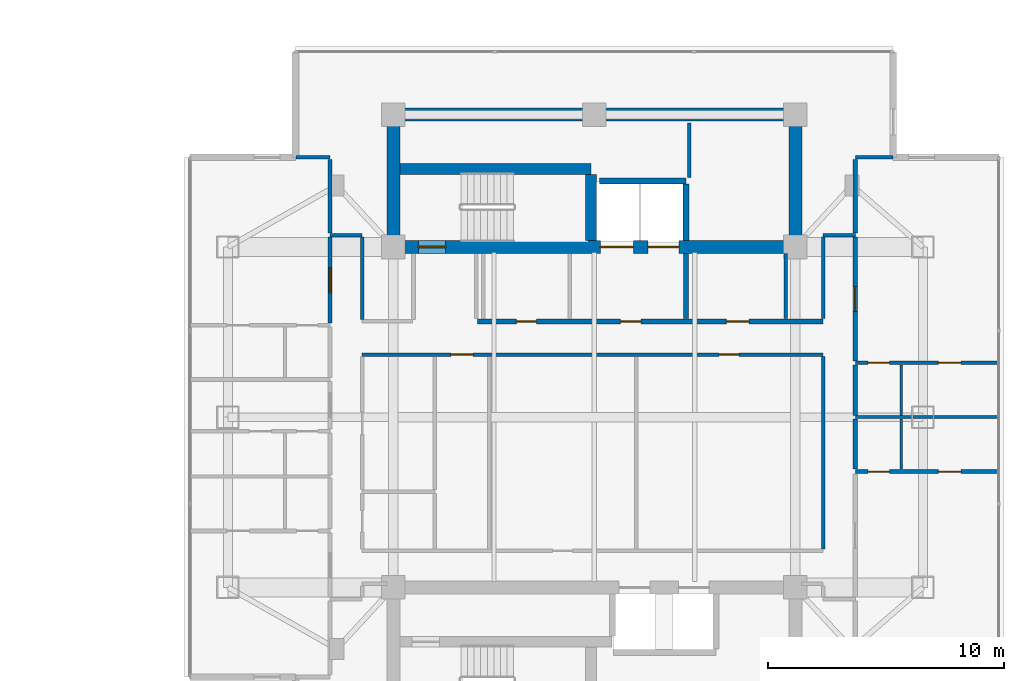
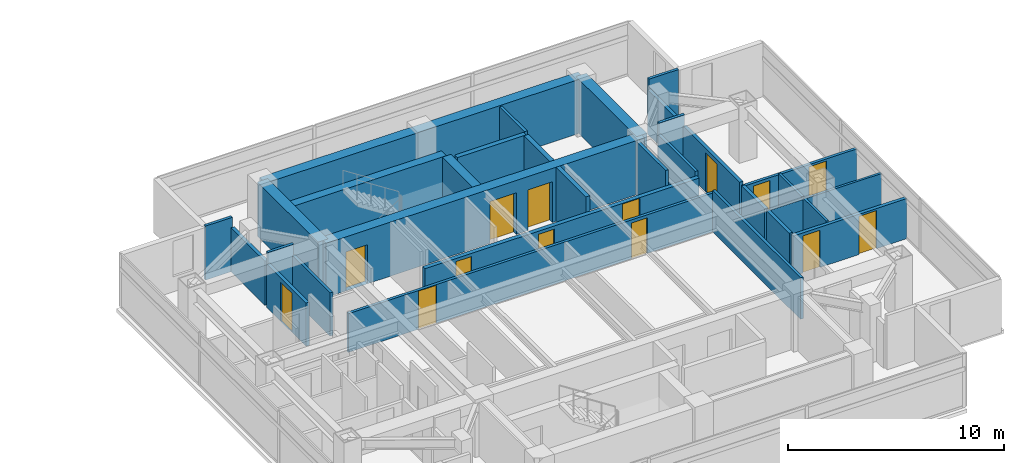
# One storey, part 17 of 24: 31 walls, 14 doors, 14 openings.
"""IFC4 building model written with IfcOpenShell, lengths in metres."""

from ifc_helpers import new_model, si_unit, direction, frame, frame_2d, origin, place, context, subcontext, project, spatial, rectangle, extrude, material, layer, layer_set, type_object, element, fill, save


model = new_model("IFC4")

# Units and contexts
model_context = context("Model", 3, precision=1e-05, world=origin(), true_north=direction((0.0, 1.0)))
body_context = subcontext(model_context, "Body", "Model", "MODEL_VIEW")
ifc_project = project(units=[si_unit("LENGTHUNIT", "METRE"), si_unit("AREAUNIT", "SQUARE_METRE"), si_unit("VOLUMEUNIT", "CUBIC_METRE"), si_unit("PLANEANGLEUNIT", "RADIAN"), si_unit("MASSUNIT", "GRAM", prefix="KILO")], contexts=[model_context])

# Site, building, storey
site_placement = place(None, origin())
site = spatial("IfcSite", under=ifc_project, at=site_placement, CompositionType="ELEMENT")
building_placement = place(site_placement, origin())
building = spatial("IfcBuilding", under=site, at=building_placement, Name="Mirazonda Arch Towers", CompositionType="ELEMENT")
storey_placement = place(building_placement, frame((0.0, 0.0, 160.89990234375)))
storey = spatial("IfcBuildingStorey", under=building, at=storey_placement, Name="L45", CompositionType="ELEMENT", Elevation=160.89990234375)

# Walls
ifc_material_1 = material(Name="Concrete C50/60", Category="concrete")
ifc_layer_1 = layer(ifc_material_1, 0.449951171875, Name="WALL-CORE-450")
ifc_layer_set_1 = layer_set([ifc_layer_1], Name="Concrete C50/60")
wall_type_1 = type_object("IfcWallType", Name="WALL-CORE-450", PredefinedType="SHEAR", material=ifc_layer_set_1)
wall_1_placement = place(storey_placement, frame((68.27001953125, 38.5, 0.0), z_axis=(0.0, 0.0, 1.0), x_axis=(1.0, 0.0, 0.0)))
element("IfcWall", 1, at=wall_1_placement, inside=storey, type_object=wall_type_1, Name="L45 Stair Core Shear Wall 056", PredefinedType="SHEAR", context=body_context, shape_type="SweptSolid", body=[
    extrude(rectangle(XDim=8.090087890625, YDim=0.449951171875, at=frame_2d((4.044921875, 0.0))), origin(), (0.0, 0.0, 1.0), 3.050048828125),
])
wall_2_placement = place(storey_placement, frame((76.360107421875, 35.469970703125, 0.0), z_axis=(0.0, 0.0, 1.0), x_axis=(0.0, 1.0, 0.0)))
element("IfcWall", 2, at=wall_2_placement, inside=storey, type_object=wall_type_1, Name="L45 Stair Core Shear Wall 148", PredefinedType="SHEAR", context=body_context, shape_type="SweptSolid", body=[
    extrude(rectangle(XDim=2.794921875, YDim=0.449951171875, at=frame_2d((1.3974609375, 0.0))), origin(), (0.0, 0.0, 1.0), 3.050048828125),
])
ifc_layer_2 = layer(ifc_material_1, 0.550048828125, Name="WALL-CORE-550")
ifc_layer_set_2 = layer_set([ifc_layer_2], Name="Concrete C50/60")
wall_type_2 = type_object("IfcWallType", Name="WALL-CORE-550", PredefinedType="SHEAR", material=ifc_layer_set_2)
wall_3_placement = place(storey_placement, frame((68.0, 40.800048828125, 0.0), z_axis=(0.0, 0.0, 1.0), x_axis=(1.0, 0.0, 0.0)))
element("IfcWall", 3, at=wall_3_placement, inside=storey, type_object=wall_type_2, Name="L45 T2N-N Core Shear Wall", PredefinedType="SHEAR", context=body_context, shape_type="SweptSolid", body=[
    extrude(rectangle(XDim=17.0, YDim=0.550048828125, at=frame_2d((8.5, 0.0))), origin(), (0.0, 0.0, 1.0), 3.050048828125),
])
for number, where, z_axis, x_axis, name in (
    (4, (68.0, 35.199951171875, 0.0), (0.0, 0.0, 1.0), (0.0, 1.0, 0.0), "L45 T2N-W Core Shear Wall"),
    (5, (85.0, 35.199951171875, 0.0), (0.0, 0.0, 1.0), (0.0, 1.0, 0.0), "L45 T2N-E Core Shear Wall"),
):
    element("IfcWall", number, at=place(storey_placement, frame(where, z_axis=z_axis, x_axis=x_axis)), inside=storey, type_object=wall_type_2, Name=name, PredefinedType="SHEAR", context=body_context, shape_type="SweptSolid", body=[
        extrude(rectangle(XDim=5.60009765625, YDim=0.550048828125, at=frame_2d((2.800048828125, 0.0))), origin(), (0.0, 0.0, 1.0), 3.050048828125),
    ])

# Wall, openings, doors
wall_4_placement = place(storey_placement, frame((68.0, 35.199951171875, 0.0), z_axis=(0.0, 0.0, 1.0), x_axis=(1.0, 0.0, 0.0)))
wall_4 = element("IfcWall", 6, at=wall_4_placement, inside=storey, type_object=wall_type_2, Name="L45 T2N-S Core Shear Wall", PredefinedType="SHEAR", context=body_context, shape_type="SweptSolid", body=[
    extrude(rectangle(XDim=17.0, YDim=0.550048828125, at=frame_2d((8.5, 0.0))), origin(), (0.0, 0.0, 1.0), 3.050048828125),
])
opening_1_placement = place(wall_4_placement, frame((1.06005859375, 0.0, 0.0)))
opening_1 = element("IfcOpeningElement", 7, at=opening_1_placement, cuts=wall_4, Name="Opening DR-135", PredefinedType="OPENING", context=body_context, shape_type="SweptSolid", body=[
    extrude(rectangle(XDim=1.14990234375, YDim=2.199951171875, at=frame_2d((0.574951171875, 1.10009765625))), frame((0.0, 0.284912109375, 0.0), z_axis=(0.0, -1.0, 0.0), x_axis=(1.0, 0.0, 0.0)), (0.0, 0.0, 1.0), 0.570068359375),
])
opening_2_placement = place(wall_4_placement, frame((8.75, 0.0, 0.0)))
opening_2 = element("IfcOpeningElement", 8, at=opening_2_placement, cuts=wall_4, Name="Opening LD-112", PredefinedType="OPENING", context=body_context, shape_type="SweptSolid", body=[
    extrude(rectangle(XDim=1.39990234375, YDim=2.35009765625, at=frame_2d((0.699951171875, 1.175048828125))), frame((0.0, 0.284912109375, 0.0), z_axis=(0.0, -1.0, 0.0), x_axis=(1.0, 0.0, 0.0)), (0.0, 0.0, 1.0), 0.570068359375),
])
opening_3_placement = place(wall_4_placement, frame((10.77001953125, 0.0, 0.0)))
opening_3 = element("IfcOpeningElement", 9, at=opening_3_placement, cuts=wall_4, Name="Opening LD-111", PredefinedType="OPENING", context=body_context, shape_type="SweptSolid", body=[
    extrude(rectangle(XDim=1.300048828125, YDim=2.300048828125, at=frame_2d((0.64990234375, 1.14990234375))), frame((0.0, 0.284912109375, 0.0), z_axis=(0.0, -1.0, 0.0), x_axis=(1.0, 0.0, 0.0)), (0.0, 0.0, 1.0), 0.570068359375),
])
ifc_material_2 = material(Name="Architectural Brushed Steel S355", Category="steel")
door_type_1 = type_object("IfcDoorType", Name="DOOR-LIFT-FFL-1400", OperationType="NOTDEFINED", PredefinedType="DOOR", material=ifc_material_2)
door_1_placement = place(opening_2_placement, origin())
door_1 = element("IfcDoor", 10, at=door_1_placement, inside=storey, type_object=door_type_1, Name="L45 Lift Landing Sliding Door FFL-T2", OperationType="DOUBLE_DOOR_SLIDING", OverallHeight=2.35009765625, OverallWidth=1.39990234375, PredefinedType="DOOR", context=body_context, shape_type="SweptSolid", body=[
    extrude(rectangle(XDim=1.39990234375, YDim=2.35009765625, at=frame_2d((0.699951171875, 1.175048828125))), frame((0.0, 0.02490234375, 0.0), z_axis=(0.0, -1.0, 0.0), x_axis=(1.0, 0.0, 0.0)), (0.0, 0.0, 1.0), 0.050048828125),
])
fill(opening_2, door_1)
door_type_2 = type_object("IfcDoorType", Name="DOOR-LIFT-LAND-1300", OperationType="NOTDEFINED", PredefinedType="DOOR", material=ifc_material_2)
door_2_placement = place(opening_3_placement, origin())
door_2 = element("IfcDoor", 11, at=door_2_placement, inside=storey, type_object=door_type_2, Name="L45 Lift Landing Sliding Door SVL-T2", OperationType="DOUBLE_DOOR_SLIDING", OverallHeight=2.300048828125, OverallWidth=1.300048828125, PredefinedType="DOOR", context=body_context, shape_type="SweptSolid", body=[
    extrude(rectangle(XDim=1.300048828125, YDim=2.300048828125, at=frame_2d((0.64990234375, 1.14990234375))), frame((0.0, 0.02490234375, 0.0), z_axis=(0.0, -1.0, 0.0), x_axis=(1.0, 0.0, 0.0)), (0.0, 0.0, 1.0), 0.050048828125),
])
fill(opening_3, door_2)
door_type_3 = type_object("IfcDoorType", Name="DOOR-STAIR-FD90-1150", OperationType="NOTDEFINED", PredefinedType="DOOR", material=ifc_material_2)
door_3_placement = place(opening_1_placement, origin())
door_3 = element("IfcDoor", 12, at=door_3_placement, inside=storey, type_object=door_type_3, Name="L45 East Protected Stair North Door", OperationType="SINGLE_SWING_LEFT", OverallHeight=2.199951171875, OverallWidth=1.14990234375, PredefinedType="DOOR", context=body_context, shape_type="SweptSolid", body=[
    extrude(rectangle(XDim=1.14990234375, YDim=2.199951171875, at=frame_2d((0.574951171875, 1.10009765625))), frame((0.0, 0.02490234375, 0.0), z_axis=(0.0, -1.0, 0.0), x_axis=(1.0, 0.0, 0.0)), (0.0, 0.0, 1.0), 0.050048828125),
])
fill(opening_1, door_3)

ifc_material_3 = material(Name="Concrete C40/50", Category="concrete")
ifc_layer_3 = layer(ifc_material_3, 0.219970703125, Name="WALL-FFL-220")
ifc_layer_set_3 = layer_set([ifc_layer_3], Name="Concrete C40/50")
wall_type_3 = type_object("IfcWallType", Name="WALL-FFL-220", PredefinedType="SOLIDWALL", material=ifc_layer_set_3)
wall_5_placement = place(storey_placement, frame((71.550048828125, 32.050048828125, 0.0), z_axis=(0.0, 0.0, 1.0), x_axis=(1.0, 0.0, 0.0)))
wall_5 = element("IfcWall", 13, at=wall_5_placement, inside=storey, type_object=wall_type_3, Name="L45 Interior Partition 046", PredefinedType="SOLIDWALL", context=body_context, shape_type="SweptSolid", body=[
    extrude(rectangle(XDim=14.6298828125, YDim=0.219970703125, at=frame_2d((7.31494140625, 0.0))), origin(), (0.0, 0.0, 1.0), 2.18603515625),
])
opening_4_placement = place(wall_5_placement, frame((6.06494140625, 0.0, 0.0)))
opening_4 = element("IfcOpeningElement", 14, at=opening_4_placement, cuts=wall_5, Name="Opening DR-128", PredefinedType="OPENING", context=body_context, shape_type="SweptSolid", body=[
    extrude(rectangle(XDim=0.85009765625, YDim=2.010009765625, at=frame_2d((0.425048828125, 1.0048828125))), frame((0.0, 0.119873046875, 0.0), z_axis=(0.0, -1.0, 0.0), x_axis=(1.0, 0.0, 0.0)), (0.0, 0.0, 1.0), 0.239990234375),
])
opening_5_placement = place(wall_5_placement, frame((10.534912109375, 0.0, 0.0)))
opening_5 = element("IfcOpeningElement", 15, at=opening_5_placement, cuts=wall_5, Name="Opening DR-104", PredefinedType="OPENING", context=body_context, shape_type="SweptSolid", body=[
    extrude(rectangle(XDim=0.949951171875, YDim=2.14990234375, at=frame_2d((0.47509765625, 1.074951171875))), frame((0.0, 0.119873046875, 0.0), z_axis=(0.0, -1.0, 0.0), x_axis=(1.0, 0.0, 0.0)), (0.0, 0.0, 1.0), 0.239990234375),
])
opening_6_placement = place(wall_5_placement, frame((1.64990234375, 0.0, 0.0)))
opening_6 = element("IfcOpeningElement", 16, at=opening_6_placement, cuts=wall_5, Name="Opening DR-128", PredefinedType="OPENING", context=body_context, shape_type="SweptSolid", body=[
    extrude(rectangle(XDim=0.85009765625, YDim=2.010009765625, at=frame_2d((0.425048828125, 1.0048828125))), frame((0.0, 0.119873046875, 0.0), z_axis=(0.0, -1.0, 0.0), x_axis=(1.0, 0.0, 0.0)), (0.0, 0.0, 1.0), 0.239990234375),
])
door_type_4 = type_object("IfcDoorType", Name="DOOR-RISER-FD60-850", OperationType="NOTDEFINED", PredefinedType="DOOR", material=ifc_material_2)
door_4_placement = place(opening_4_placement, origin())
door_4 = element("IfcDoor", 17, at=door_4_placement, inside=storey, type_object=door_type_4, Name="L45 East Firefighting Lift Lobby Door", OperationType="SINGLE_SWING_RIGHT", OverallHeight=2.010009765625, OverallWidth=0.85009765625, PredefinedType="DOOR", context=body_context, shape_type="SweptSolid", body=[
    extrude(rectangle(XDim=0.85009765625, YDim=2.010009765625, at=frame_2d((0.425048828125, 1.0048828125))), frame((0.0, 0.02490234375, 0.0), z_axis=(0.0, -1.0, 0.0), x_axis=(1.0, 0.0, 0.0)), (0.0, 0.0, 1.0), 0.050048828125),
])
fill(opening_4, door_4)
door_5_placement = place(opening_6_placement, origin())
door_5 = element("IfcDoor", 18, at=door_5_placement, inside=storey, type_object=door_type_4, Name="L45 Tower 2 Housekeeping & Linen Room Door", OperationType="SINGLE_SWING_RIGHT", OverallHeight=2.010009765625, OverallWidth=0.85009765625, PredefinedType="DOOR", context=body_context, shape_type="SweptSolid", body=[
    extrude(rectangle(XDim=0.85009765625, YDim=2.010009765625, at=frame_2d((0.425048828125, 1.0048828125))), frame((0.0, 0.02490234375, 0.0), z_axis=(0.0, -1.0, 0.0), x_axis=(1.0, 0.0, 0.0)), (0.0, 0.0, 1.0), 0.050048828125),
])
fill(opening_6, door_5)
door_type_5 = type_object("IfcDoorType", Name="DOOR-ROOM-950", OperationType="NOTDEFINED", PredefinedType="DOOR", material=ifc_material_2)
door_6_placement = place(opening_5_placement, origin())
door_6 = element("IfcDoor", 19, at=door_6_placement, inside=storey, type_object=door_type_5, Name="L45 East Sky Reading Library Door", OperationType="SINGLE_SWING_LEFT", OverallHeight=2.14990234375, OverallWidth=0.949951171875, PredefinedType="DOOR", context=body_context, shape_type="SweptSolid", body=[
    extrude(rectangle(XDim=0.949951171875, YDim=2.14990234375, at=frame_2d((0.47509765625, 1.074951171875))), frame((0.0, 0.02490234375, 0.0), z_axis=(0.0, -1.0, 0.0), x_axis=(1.0, 0.0, 0.0)), (0.0, 0.0, 1.0), 0.050048828125),
])
fill(opening_5, door_6)

# Wall
wall_6_placement = place(storey_placement, frame((80.3798828125, 32.169921875, 0.0), z_axis=(0.0, 0.0, 1.0), x_axis=(0.0, 1.0, 0.0)))
element("IfcWall", 20, at=wall_6_placement, inside=storey, type_object=wall_type_3, Name="L45 Interior Partition 151", PredefinedType="SOLIDWALL", context=body_context, shape_type="SweptSolid", body=[
    extrude(rectangle(XDim=2.760009765625, YDim=0.219970703125, at=frame_2d((1.3798828125, 0.0))), origin(), (0.0, 0.0, 1.0), 3.050048828125),
])

# Wall, openings, doors
ifc_material_4 = material(Name="Fire-Rated Gypsum Stud Partition")
ifc_layer_4 = layer(ifc_material_4, 0.14990234375, Name="WALL-PART-CORR-150")
ifc_layer_set_4 = layer_set([ifc_layer_4], Name="Fire-Rated Gypsum Stud Partition")
wall_type_4 = type_object("IfcWallType", Name="WALL-PART-CORR-150", PredefinedType="PARTITIONING", material=ifc_layer_set_4)
wall_7_placement = place(storey_placement, frame((87.5400390625, 30.300048828125, 0.0), z_axis=(0.0, 0.0, 1.0), x_axis=(1.0, 0.0, 0.0)))
wall_7 = element("IfcWall", 21, at=wall_7_placement, inside=storey, type_object=wall_type_4, Name="L45 Interior Partition 040", PredefinedType="PARTITIONING", context=body_context, shape_type="SweptSolid", body=[
    extrude(rectangle(XDim=6.06884765625, YDim=0.14990234375, at=frame_2d((3.034423828125, 0.0))), origin(), (0.0, 0.0, 1.0), 2.26904296875),
])
opening_7_placement = place(wall_7_placement, frame((3.510498046875, 0.0, 0.0)))
opening_7 = element("IfcOpeningElement", 22, at=opening_7_placement, cuts=wall_7, Name="Opening DR-104", PredefinedType="OPENING", context=body_context, shape_type="SweptSolid", body=[
    extrude(rectangle(XDim=0.949951171875, YDim=2.14990234375, at=frame_2d((0.47509765625, 1.074951171875))), frame((0.0, 0.0849609375, 0.0), z_axis=(0.0, -1.0, 0.0), x_axis=(1.0, 0.0, 0.0)), (0.0, 0.0, 1.0), 0.169921875),
])
opening_8_placement = place(wall_7_placement, frame((0.541015625, 0.0, 0.0)))
opening_8 = element("IfcOpeningElement", 23, at=opening_8_placement, cuts=wall_7, Name="Opening DR-120", PredefinedType="OPENING", context=body_context, shape_type="SweptSolid", body=[
    extrude(rectangle(XDim=0.89990234375, YDim=2.10009765625, at=frame_2d((0.449951171875, 1.050048828125))), frame((0.0, 0.0849609375, 0.0), z_axis=(0.0, -1.0, 0.0), x_axis=(1.0, 0.0, 0.0)), (0.0, 0.0, 1.0), 0.169921875),
])
door_7_placement = place(opening_7_placement, origin())
door_7 = element("IfcDoor", 24, at=door_7_placement, inside=storey, type_object=door_type_5, Name="L45 Studio 2 Galley Kitchen Door", OperationType="SINGLE_SWING_RIGHT", OverallHeight=2.14990234375, OverallWidth=0.949951171875, PredefinedType="DOOR", context=body_context, shape_type="SweptSolid", body=[
    extrude(rectangle(XDim=0.949951171875, YDim=2.14990234375, at=frame_2d((0.47509765625, 1.074951171875))), frame((0.0, 0.02490234375, 0.0), z_axis=(0.0, -1.0, 0.0), x_axis=(1.0, 0.0, 0.0)), (0.0, 0.0, 1.0), 0.050048828125),
])
fill(opening_7, door_7)
door_type_6 = type_object("IfcDoorType", Name="DOOR-WC-900", OperationType="NOTDEFINED", PredefinedType="DOOR", material=ifc_material_2)
door_8_placement = place(opening_8_placement, origin())
door_8 = element("IfcDoor", 25, at=door_8_placement, inside=storey, type_object=door_type_6, Name="L45 Studio 2 Bathroom Door", OperationType="SINGLE_SWING_LEFT", OverallHeight=2.10009765625, OverallWidth=0.89990234375, PredefinedType="DOOR", context=body_context, shape_type="SweptSolid", body=[
    extrude(rectangle(XDim=0.89990234375, YDim=2.10009765625, at=frame_2d((0.449951171875, 1.050048828125))), frame((0.0, 0.02490234375, 0.0), z_axis=(0.0, -1.0, 0.0), x_axis=(1.0, 0.0, 0.0)), (0.0, 0.0, 1.0), 0.050048828125),
])
fill(opening_8, door_8)

wall_8_placement = place(storey_placement, frame((66.679931640625, 30.64990234375, 0.0), z_axis=(0.0, 0.0, 1.0), x_axis=(1.0, 0.0, 0.0)))
wall_8 = element("IfcWall", 26, at=wall_8_placement, inside=storey, type_object=wall_type_4, Name="L45 Interior Partition 041", PredefinedType="PARTITIONING", context=body_context, shape_type="SweptSolid", body=[
    extrude(rectangle(XDim=19.5, YDim=0.14990234375, at=frame_2d((9.75, 0.0))), origin(), (0.0, 0.0, 1.0), 2.18603515625),
])
opening_9_placement = place(wall_8_placement, frame((3.7451171875, 0.0, 0.0)))
opening_9 = element("IfcOpeningElement", 27, at=opening_9_placement, cuts=wall_8, Name="Opening DR-104", PredefinedType="OPENING", context=body_context, shape_type="SweptSolid", body=[
    extrude(rectangle(XDim=0.949951171875, YDim=2.14990234375, at=frame_2d((0.47509765625, 1.074951171875))), frame((0.0, 0.0849609375, 0.0), z_axis=(0.0, -1.0, 0.0), x_axis=(1.0, 0.0, 0.0)), (0.0, 0.0, 1.0), 0.169921875),
])
opening_10_placement = place(wall_8_placement, frame((15.098388671875, 0.0, 0.0)))
opening_10 = element("IfcOpeningElement", 28, at=opening_10_placement, cuts=wall_8, Name="Opening DR-128", PredefinedType="OPENING", context=body_context, shape_type="SweptSolid", body=[
    extrude(rectangle(XDim=0.85009765625, YDim=2.010009765625, at=frame_2d((0.425048828125, 1.0048828125))), frame((0.0, 0.0849609375, 0.0), z_axis=(0.0, -1.0, 0.0), x_axis=(1.0, 0.0, 0.0)), (0.0, 0.0, 1.0), 0.169921875),
])
door_9_placement = place(opening_10_placement, origin())
door_9 = element("IfcDoor", 29, at=door_9_placement, inside=storey, type_object=door_type_4, Name="L45 Chamber Music & Screening Salon Door", OperationType="SINGLE_SWING_LEFT", OverallHeight=2.010009765625, OverallWidth=0.85009765625, PredefinedType="DOOR", context=body_context, shape_type="SweptSolid", body=[
    extrude(rectangle(XDim=0.85009765625, YDim=2.010009765625, at=frame_2d((0.425048828125, 1.0048828125))), frame((0.0, 0.02490234375, 0.0), z_axis=(0.0, -1.0, 0.0), x_axis=(1.0, 0.0, 0.0)), (0.0, 0.0, 1.0), 0.050048828125),
])
fill(opening_10, door_9)
door_10_placement = place(opening_9_placement, origin())
door_10 = element("IfcDoor", 30, at=door_10_placement, inside=storey, type_object=door_type_5, Name="L45 L45 East Courtyard Study Door", OperationType="SINGLE_SWING_LEFT", OverallHeight=2.14990234375, OverallWidth=0.949951171875, PredefinedType="DOOR", context=body_context, shape_type="SweptSolid", body=[
    extrude(rectangle(XDim=0.949951171875, YDim=2.14990234375, at=frame_2d((0.47509765625, 1.074951171875))), frame((0.0, 0.02490234375, 0.0), z_axis=(0.0, -1.0, 0.0), x_axis=(1.0, 0.0, 0.0)), (0.0, 0.0, 1.0), 0.050048828125),
])
fill(opening_9, door_10)

# Walls
wall_9_placement = place(storey_placement, frame((65.320068359375, 35.699951171875, 0.0), z_axis=(0.0, 0.0, 1.0), x_axis=(1.0, 0.0, 0.0)))
element("IfcWall", 31, at=wall_9_placement, inside=storey, type_object=wall_type_4, Name="L45 Interior Partition 053", PredefinedType="PARTITIONING", context=body_context, shape_type="SweptSolid", body=[
    extrude(rectangle(XDim=1.35986328125, YDim=0.14990234375, at=frame_2d((0.679931640625, 0.0))), origin(), (0.0, 0.0, 1.0), 3.050048828125),
])
wall_10_placement = place(storey_placement, frame((86.179931640625, 35.699951171875, 0.0), z_axis=(0.0, 0.0, 1.0), x_axis=(1.0, 0.0, 0.0)))
element("IfcWall", 32, at=wall_10_placement, inside=storey, type_object=wall_type_4, Name="L45 Interior Partition 054", PredefinedType="PARTITIONING", context=body_context, shape_type="SweptSolid", body=[
    extrude(rectangle(XDim=1.360107421875, YDim=0.14990234375, at=frame_2d((0.68017578125, 0.0))), origin(), (0.0, 0.0, 1.0), 3.050048828125),
])
wall_11_placement = place(storey_placement, frame((63.876708984375, 38.992919921875, 0.0), z_axis=(0.0, 0.0, 1.0), x_axis=(1.0, 0.0, 0.0)))
element("IfcWall", 33, at=wall_11_placement, inside=storey, type_object=wall_type_4, Name="L45 Interior Partition 057", PredefinedType="PARTITIONING", context=body_context, shape_type="SweptSolid", body=[
    extrude(rectangle(XDim=1.443359375, YDim=0.14990234375, at=frame_2d((0.7216796875, 0.0))), origin(), (0.0, 0.0, 1.0), 3.050048828125),
])
wall_12_placement = place(storey_placement, frame((87.5400390625, 38.992919921875, 0.0), z_axis=(0.0, 0.0, 1.0), x_axis=(1.0, 0.0, 0.0)))
element("IfcWall", 34, at=wall_12_placement, inside=storey, type_object=wall_type_4, Name="L45 Interior Partition 058", PredefinedType="PARTITIONING", context=body_context, shape_type="SweptSolid", body=[
    extrude(rectangle(XDim=1.583251953125, YDim=0.14990234375, at=frame_2d((0.79150390625, 0.0))), origin(), (0.0, 0.0, 1.0), 3.050048828125),
])
wall_13_placement = place(storey_placement, frame((66.679931640625, 32.135009765625, 0.0), z_axis=(0.0, 0.0, 1.0), x_axis=(0.0, 1.0, 0.0)))
element("IfcWall", 35, at=wall_13_placement, inside=storey, type_object=wall_type_4, Name="L45 Interior Partition 139", PredefinedType="PARTITIONING", context=body_context, shape_type="SweptSolid", body=[
    extrude(rectangle(XDim=3.47998046875, YDim=0.14990234375, at=frame_2d((1.739990234375, 0.0))), origin(), (0.0, 0.0, 1.0), 2.442138671875),
])
wall_14_placement = place(storey_placement, frame((80.52001953125, 38.135009765625, 0.0), z_axis=(0.0, 0.0, 1.0), x_axis=(0.0, 1.0, 0.0)))
element("IfcWall", 36, at=wall_14_placement, inside=storey, type_object=wall_type_4, Name="L45 Interior Partition 153", PredefinedType="PARTITIONING", context=body_context, shape_type="SweptSolid", body=[
    extrude(rectangle(XDim=2.31494140625, YDim=0.14990234375, at=frame_2d((1.157470703125, 0.0))), origin(), (0.0, 0.0, 1.0), 3.050048828125),
])
wall_15_placement = place(storey_placement, frame((84.60009765625, 32.169921875, 0.0), z_axis=(0.0, 0.0, 1.0), x_axis=(0.0, 1.0, 0.0)))
element("IfcWall", 37, at=wall_15_placement, inside=storey, type_object=wall_type_4, Name="L45 Interior Partition 155", PredefinedType="PARTITIONING", context=body_context, shape_type="SweptSolid", body=[
    extrude(rectangle(XDim=2.760009765625, YDim=0.14990234375, at=frame_2d((1.3798828125, 0.0))), origin(), (0.0, 0.0, 1.0), 3.050048828125),
])
wall_16_placement = place(storey_placement, frame((86.179931640625, 22.43505859375, 0.0), z_axis=(0.0, 0.0, 1.0), x_axis=(0.0, 1.0, 0.0)))
element("IfcWall", 38, at=wall_16_placement, inside=storey, type_object=wall_type_4, Name="L45 Interior Partition 157", PredefinedType="PARTITIONING", context=body_context, shape_type="SweptSolid", body=[
    extrude(rectangle(XDim=8.1298828125, YDim=0.14990234375, at=frame_2d((4.06494140625, 0.0))), origin(), (0.0, 0.0, 1.0), 2.34619140625),
])
wall_17_placement = place(storey_placement, frame((86.179931640625, 32.169921875, 0.0), z_axis=(0.0, 0.0, 1.0), x_axis=(0.0, 1.0, 0.0)))
element("IfcWall", 39, at=wall_17_placement, inside=storey, type_object=wall_type_4, Name="L45 Interior Partition 158", PredefinedType="PARTITIONING", context=body_context, shape_type="SweptSolid", body=[
    extrude(rectangle(XDim=3.445068359375, YDim=0.14990234375, at=frame_2d((1.72265625, 0.0))), origin(), (0.0, 0.0, 1.0), 2.442138671875),
])

# Wall, openings, doors
ifc_material_5 = material(Name="Fire-Rated Gypsum Twin-Stud Assembly")
ifc_layer_5 = layer(ifc_material_5, 0.179931640625, Name="WALL-PART-DEMISE-180")
ifc_layer_set_5 = layer_set([ifc_layer_5], Name="Fire-Rated Gypsum Twin-Stud Assembly")
wall_type_5 = type_object("IfcWallType", Name="WALL-PART-DEMISE-180", PredefinedType="PARTITIONING", material=ifc_layer_set_5)
wall_18_placement = place(storey_placement, frame((87.5400390625, 25.699951171875, 0.0), z_axis=(0.0, 0.0, 1.0), x_axis=(1.0, 0.0, 0.0)))
wall_18 = element("IfcWall", 40, at=wall_18_placement, inside=storey, type_object=wall_type_5, Name="L45 Interior Partition 032", PredefinedType="PARTITIONING", context=body_context, shape_type="SweptSolid", body=[
    extrude(rectangle(XDim=6.06884765625, YDim=0.179931640625, at=frame_2d((3.034423828125, 0.0))), origin(), (0.0, 0.0, 1.0), 2.26904296875),
])
opening_11_placement = place(wall_18_placement, frame((3.510498046875, 0.0, 0.0)))
opening_11 = element("IfcOpeningElement", 41, at=opening_11_placement, cuts=wall_18, Name="Opening DR-104", PredefinedType="OPENING", context=body_context, shape_type="SweptSolid", body=[
    extrude(rectangle(XDim=0.949951171875, YDim=2.14990234375, at=frame_2d((0.47509765625, 1.074951171875))), frame((0.0, 0.099853515625, 0.0), z_axis=(0.0, -1.0, 0.0), x_axis=(1.0, 0.0, 0.0)), (0.0, 0.0, 1.0), 0.199951171875),
])
opening_12_placement = place(wall_18_placement, frame((0.541015625, 0.0, 0.0)))
opening_12 = element("IfcOpeningElement", 42, at=opening_12_placement, cuts=wall_18, Name="Opening DR-120", PredefinedType="OPENING", context=body_context, shape_type="SweptSolid", body=[
    extrude(rectangle(XDim=0.89990234375, YDim=2.10009765625, at=frame_2d((0.449951171875, 1.050048828125))), frame((0.0, 0.099853515625, 0.0), z_axis=(0.0, -1.0, 0.0), x_axis=(1.0, 0.0, 0.0)), (0.0, 0.0, 1.0), 0.199951171875),
])
door_11_placement = place(opening_11_placement, origin())
door_11 = element("IfcDoor", 43, at=door_11_placement, inside=storey, type_object=door_type_5, Name="L45 Studio 1 Galley Kitchen Door", OperationType="SINGLE_SWING_LEFT", OverallHeight=2.14990234375, OverallWidth=0.949951171875, PredefinedType="DOOR", context=body_context, shape_type="SweptSolid", body=[
    extrude(rectangle(XDim=0.949951171875, YDim=2.14990234375, at=frame_2d((0.47509765625, 1.074951171875))), frame((0.0, 0.02490234375, 0.0), z_axis=(0.0, -1.0, 0.0), x_axis=(1.0, 0.0, 0.0)), (0.0, 0.0, 1.0), 0.050048828125),
])
fill(opening_11, door_11)
door_12_placement = place(opening_12_placement, origin())
door_12 = element("IfcDoor", 44, at=door_12_placement, inside=storey, type_object=door_type_6, Name="L45 Studio 1 Bathroom Door", OperationType="SINGLE_SWING_RIGHT", OverallHeight=2.10009765625, OverallWidth=0.89990234375, PredefinedType="DOOR", context=body_context, shape_type="SweptSolid", body=[
    extrude(rectangle(XDim=0.89990234375, YDim=2.10009765625, at=frame_2d((0.449951171875, 1.050048828125))), frame((0.0, 0.02490234375, 0.0), z_axis=(0.0, -1.0, 0.0), x_axis=(1.0, 0.0, 0.0)), (0.0, 0.0, 1.0), 0.050048828125),
])
fill(opening_12, door_12)

# Wall, opening, door
wall_19_placement = place(storey_placement, frame((65.320068359375, 31.98095703125, 0.0), z_axis=(0.0, 0.0, 1.0), x_axis=(0.0, 1.0, 0.0)))
wall_19 = element("IfcWall", 45, at=wall_19_placement, inside=storey, type_object=wall_type_5, Name="L45 Interior Partition 134", PredefinedType="PARTITIONING", context=body_context, shape_type="SweptSolid", body=[
    extrude(rectangle(XDim=3.634033203125, YDim=0.179931640625, at=frame_2d((1.81689453125, 0.0))), origin(), (0.0, 0.0, 1.0), 2.442138671875),
])
opening_13_placement = place(wall_19_placement, frame((1.2919921875, 0.0, 0.0)))
opening_13 = element("IfcOpeningElement", 46, at=opening_13_placement, cuts=wall_19, Name="Opening DR-121", PredefinedType="OPENING", context=body_context, shape_type="SweptSolid", body=[
    extrude(rectangle(XDim=1.050048828125, YDim=2.199951171875, at=frame_2d((0.52490234375, 1.10009765625))), frame((0.0, 0.099853515625, 0.0), z_axis=(0.0, -1.0, 0.0), x_axis=(1.0, 0.0, 0.0)), (0.0, 0.0, 1.0), 0.199951171875),
])
door_type_7 = type_object("IfcDoorType", Name="DOOR-SUITE-FD60-1050", OperationType="NOTDEFINED", PredefinedType="DOOR", material=ifc_material_2)
door_13_placement = place(opening_13_placement, origin())
door_13 = element("IfcDoor", 47, at=door_13_placement, inside=storey, type_object=door_type_7, Name="L45 Studio Apartment 3 Living Salon Door", OperationType="SINGLE_SWING_LEFT", OverallHeight=2.199951171875, OverallWidth=1.050048828125, PredefinedType="DOOR", context=body_context, shape_type="SweptSolid", body=[
    extrude(rectangle(XDim=1.050048828125, YDim=2.199951171875, at=frame_2d((0.52490234375, 1.10009765625))), frame((0.0, 0.02490234375, 0.0), z_axis=(0.0, -1.0, 0.0), x_axis=(1.0, 0.0, 0.0)), (0.0, 0.0, 1.0), 0.050048828125),
])
fill(opening_13, door_13)

# Walls
wall_20_placement = place(storey_placement, frame((65.320068359375, 35.784912109375, 0.0), z_axis=(0.0, 0.0, 1.0), x_axis=(0.0, 1.0, 0.0)))
element("IfcWall", 48, at=wall_20_placement, inside=storey, type_object=wall_type_5, Name="L45 Interior Partition 135", PredefinedType="PARTITIONING", context=body_context, shape_type="SweptSolid", body=[
    extrude(rectangle(XDim=3.123046875, YDim=0.179931640625, at=frame_2d((1.5615234375, 0.0))), origin(), (0.0, 0.0, 1.0), 2.4931640625),
])
wall_21_placement = place(storey_placement, frame((87.5400390625, 25.800048828125, 0.0), z_axis=(0.0, 0.0, 1.0), x_axis=(0.0, 1.0, 0.0)))
element("IfcWall", 49, at=wall_21_placement, inside=storey, type_object=wall_type_5, Name="L45 Interior Partition 161", PredefinedType="PARTITIONING", context=body_context, shape_type="SweptSolid", body=[
    extrude(rectangle(XDim=2.12744140625, YDim=0.179931640625, at=frame_2d((1.063720703125, 0.0))), origin(), (0.0, 0.0, 1.0), 2.34619140625),
])
wall_22_placement = place(storey_placement, frame((87.5400390625, 28.072509765625, 0.0), z_axis=(0.0, 0.0, 1.0), x_axis=(0.0, 1.0, 0.0)))
element("IfcWall", 50, at=wall_22_placement, inside=storey, type_object=wall_type_5, Name="L45 Interior Partition 162", PredefinedType="PARTITIONING", context=body_context, shape_type="SweptSolid", body=[
    extrude(rectangle(XDim=2.142578125, YDim=0.179931640625, at=frame_2d((1.0712890625, 0.0))), origin(), (0.0, 0.0, 1.0), 2.34619140625),
])

# Wall, opening, door
wall_23_placement = place(storey_placement, frame((87.5400390625, 30.385009765625, 0.0), z_axis=(0.0, 0.0, 1.0), x_axis=(0.0, 1.0, 0.0)))
wall_23 = element("IfcWall", 51, at=wall_23_placement, inside=storey, type_object=wall_type_5, Name="L45 Interior Partition 163", PredefinedType="PARTITIONING", context=body_context, shape_type="SweptSolid", body=[
    extrude(rectangle(XDim=5.22998046875, YDim=0.179931640625, at=frame_2d((2.614990234375, 0.0))), origin(), (0.0, 0.0, 1.0), 2.442138671875),
])
opening_14_placement = place(wall_23_placement, frame((2.090087890625, 0.0, 0.0)))
opening_14 = element("IfcOpeningElement", 52, at=opening_14_placement, cuts=wall_23, Name="Opening DR-121", PredefinedType="OPENING", context=body_context, shape_type="SweptSolid", body=[
    extrude(rectangle(XDim=1.050048828125, YDim=2.199951171875, at=frame_2d((0.52490234375, 1.10009765625))), frame((0.0, 0.099853515625, 0.0), z_axis=(0.0, -1.0, 0.0), x_axis=(1.0, 0.0, 0.0)), (0.0, 0.0, 1.0), 0.199951171875),
])
door_14_placement = place(opening_14_placement, origin())
door_14 = element("IfcDoor", 53, at=door_14_placement, inside=storey, type_object=door_type_7, Name="L45 Studio Apartment 2 Living Salon Door", OperationType="SINGLE_SWING_LEFT", OverallHeight=2.199951171875, OverallWidth=1.050048828125, PredefinedType="DOOR", context=body_context, shape_type="SweptSolid", body=[
    extrude(rectangle(XDim=1.050048828125, YDim=2.199951171875, at=frame_2d((0.52490234375, 1.10009765625))), frame((0.0, 0.02490234375, 0.0), z_axis=(0.0, -1.0, 0.0), x_axis=(1.0, 0.0, 0.0)), (0.0, 0.0, 1.0), 0.050048828125),
])
fill(opening_14, door_14)

# Walls
wall_24_placement = place(storey_placement, frame((87.5400390625, 35.784912109375, 0.0), z_axis=(0.0, 0.0, 1.0), x_axis=(0.0, 1.0, 0.0)))
element("IfcWall", 54, at=wall_24_placement, inside=storey, type_object=wall_type_5, Name="L45 Interior Partition 164", PredefinedType="PARTITIONING", context=body_context, shape_type="SweptSolid", body=[
    extrude(rectangle(XDim=3.123046875, YDim=0.179931640625, at=frame_2d((1.5615234375, 0.0))), origin(), (0.0, 0.0, 1.0), 2.4931640625),
])
ifc_material_6 = material(Name="Acoustic Fire-Rated Gypsum Partition")
ifc_layer_6 = layer(ifc_material_6, 0.125, Name="WALL-PART-UNIT-125")
ifc_layer_set_6 = layer_set([ifc_layer_6], Name="Acoustic Fire-Rated Gypsum Partition")
wall_type_6 = type_object("IfcWallType", Name="WALL-PART-UNIT-125", PredefinedType="PARTITIONING", material=ifc_layer_set_6)
wall_25_placement = place(storey_placement, frame((87.5400390625, 28.0, 0.0), z_axis=(0.0, 0.0, 1.0), x_axis=(1.0, 0.0, 0.0)))
element("IfcWall", 55, at=wall_25_placement, inside=storey, type_object=wall_type_6, Name="L45 Interior Partition 037", PredefinedType="PARTITIONING", context=body_context, shape_type="SweptSolid", body=[
    extrude(rectangle(XDim=6.06884765625, YDim=0.125, at=frame_2d((3.034423828125, 0.0))), origin(), (0.0, 0.0, 1.0), 2.26904296875),
])
wall_26_placement = place(storey_placement, frame((89.48193359375, 25.800048828125, 0.0), z_axis=(0.0, 0.0, 1.0), x_axis=(0.0, 1.0, 0.0)))
element("IfcWall", 56, at=wall_26_placement, inside=storey, type_object=wall_type_6, Name="L45 Interior Partition 165", PredefinedType="PARTITIONING", context=body_context, shape_type="SweptSolid", body=[
    extrude(rectangle(XDim=2.12744140625, YDim=0.125, at=frame_2d((1.063720703125, 0.0))), origin(), (0.0, 0.0, 1.0), 2.34619140625),
])
wall_27_placement = place(storey_placement, frame((89.48193359375, 28.072509765625, 0.0), z_axis=(0.0, 0.0, 1.0), x_axis=(0.0, 1.0, 0.0)))
element("IfcWall", 57, at=wall_27_placement, inside=storey, type_object=wall_type_6, Name="L45 Interior Partition 166", PredefinedType="PARTITIONING", context=body_context, shape_type="SweptSolid", body=[
    extrude(rectangle(XDim=2.142578125, YDim=0.125, at=frame_2d((1.0712890625, 0.0))), origin(), (0.0, 0.0, 1.0), 2.34619140625),
])
ifc_layer_7 = layer(ifc_material_3, 0.25, Name="WALL-SHAFT-250")
ifc_layer_set_7 = layer_set([ifc_layer_7], Name="Concrete C40/50")
wall_type_7 = type_object("IfcWallType", Name="WALL-SHAFT-250", PredefinedType="SOLIDWALL", material=ifc_layer_set_7)
wall_28_placement = place(storey_placement, frame((76.719970703125, 38.0, 0.0), z_axis=(0.0, 0.0, 1.0), x_axis=(1.0, 0.0, 0.0)))
element("IfcWall", 58, at=wall_28_placement, inside=storey, type_object=wall_type_7, Name="L45 Interior Partition 055", PredefinedType="SOLIDWALL", context=body_context, shape_type="SweptSolid", body=[
    extrude(rectangle(XDim=3.659912109375, YDim=0.25, at=frame_2d((1.830078125, 0.0))), origin(), (0.0, 0.0, 1.0), 3.050048828125),
])
wall_29_placement = place(storey_placement, frame((80.3798828125, 35.469970703125, 0.0), z_axis=(0.0, 0.0, 1.0), x_axis=(0.0, 1.0, 0.0)))
element("IfcWall", 59, at=wall_29_placement, inside=storey, type_object=wall_type_7, Name="L45 Interior Partition 152", PredefinedType="SOLIDWALL", context=body_context, shape_type="SweptSolid", body=[
    extrude(rectangle(XDim=2.39501953125, YDim=0.25, at=frame_2d((1.197509765625, 0.0))), origin(), (0.0, 0.0, 1.0), 3.050048828125),
])

save(model, "model.ifc")
